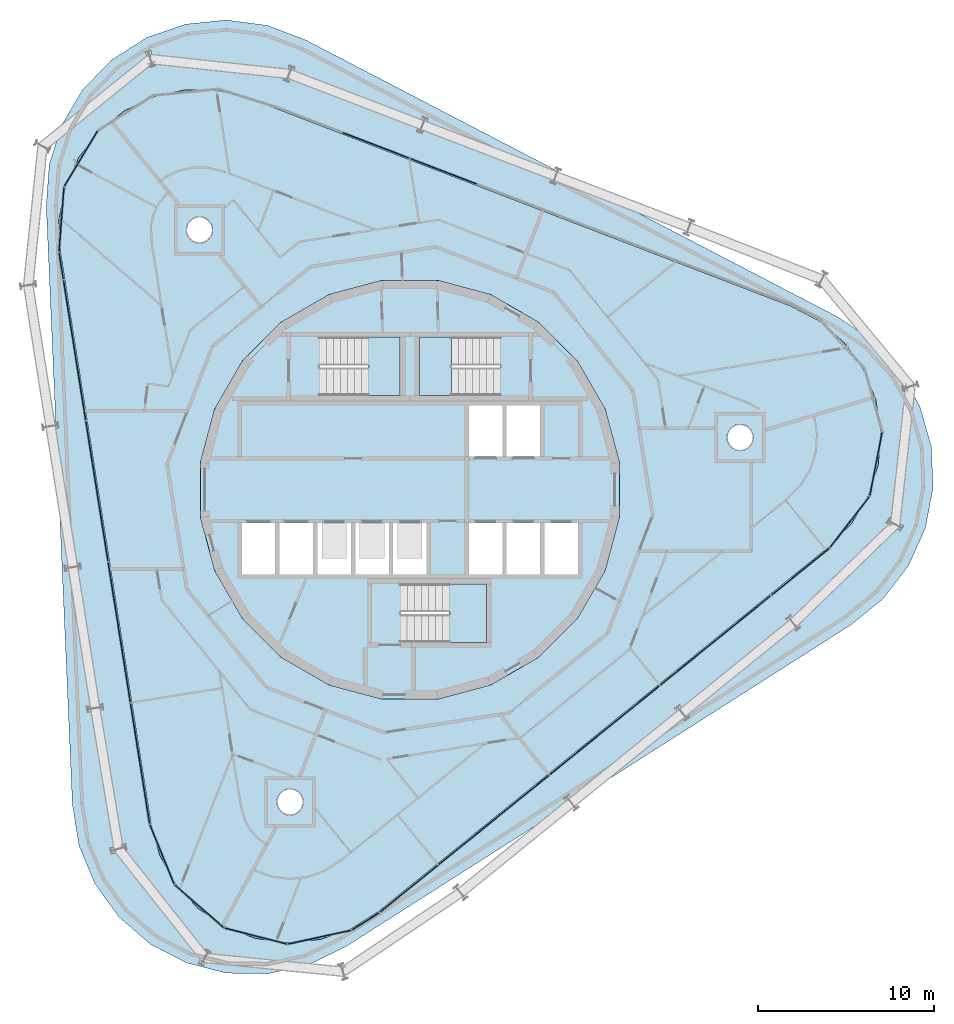
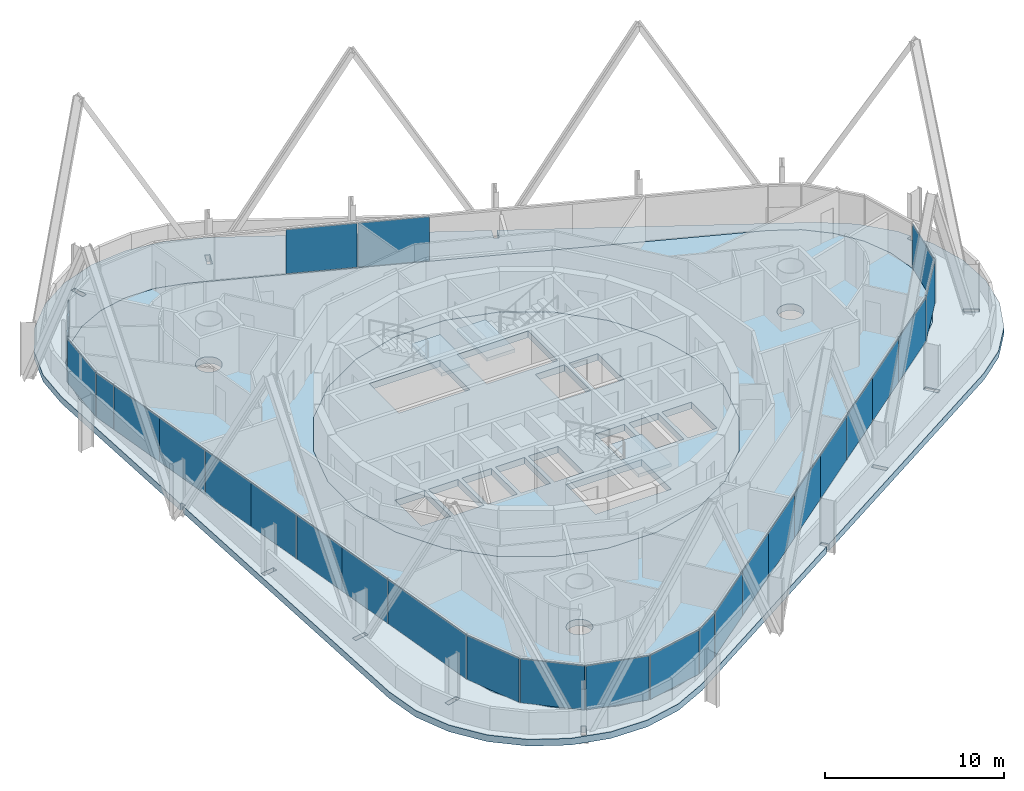
# One storey, part 10 of 19: 27 plates, 6 slabs, 9 elements without a shape of their own.
"""IFC4 building model written with IfcOpenShell, lengths in metres."""

from ifc_helpers import new_model, si_unit, direction, frame, origin, origin_2d, place, context, subcontext, project, spatial, polyline, rectangle, outline, extrude, material, layer, layer_set, type_object, element, aggregate, save


model = new_model("IFC4")

# Units and contexts
model_context = context("Model", 3, precision=1e-05, world=origin(), true_north=direction((0.0, 1.0)))
body_context = subcontext(model_context, "Body", "Model", "MODEL_VIEW")
ifc_project = project(units=[si_unit("LENGTHUNIT", "METRE"), si_unit("AREAUNIT", "SQUARE_METRE"), si_unit("VOLUMEUNIT", "CUBIC_METRE"), si_unit("PLANEANGLEUNIT", "RADIAN"), si_unit("MASSUNIT", "GRAM", prefix="KILO")], contexts=[model_context])

# Site, building, storey
site_placement = place(None, origin())
site = spatial("IfcSite", under=ifc_project, at=site_placement, CompositionType="ELEMENT")
building_placement = place(site_placement, origin())
building = spatial("IfcBuilding", under=site, at=building_placement, Name="Spindle Arch Residences", CompositionType="ELEMENT")
storey_placement = place(building_placement, frame((0.0, 0.0, 263.39990234375)))
storey = spatial("IfcBuildingStorey", under=building, at=storey_placement, Name="L67", CompositionType="ELEMENT", Elevation=263.39990234375)

# Slabs
ifc_material_1 = material(Name="Concrete C40/50", Category="concrete")
ifc_layer_1 = layer(ifc_material_1, 0.449951171875)
ifc_layer_set_1 = layer_set([ifc_layer_1], Name="Compartment floor slab 450")
slab_type_1 = type_object("IfcSlabType", Name="Compartment floor slab 450", PredefinedType="FLOOR", material=ifc_layer_set_1)
slab_1_placement = place(storey_placement, frame((0.0, 0.0, -0.449951171875)))
element("IfcSlab", 1, at=slab_1_placement, inside=storey, type_object=slab_type_1, Name="Floor slab L67", PredefinedType="FLOOR", context=body_context, shape_type="SweptSolid", body=[
    extrude(outline(polyline([(-3.341552734375, -24.9423828125), (-5.097900390625, -25.547119140625), (-6.9462890625, -25.73046875), (-8.787109375, -25.482666015625), (-10.521240234375, -24.81689453125), (-12.054931640625, -23.769287109375), (-13.305908203125, -22.396240234375), (-14.20654296875, -20.771484375), (-14.7080078125, -18.983154296875), (-19.854248046875, 13.509033203125), (-19.929931640625, 15.364990234375), (-19.575439453125, 17.188232421875), (-18.81005859375, 18.880859375), (-17.675048828125, 20.35107421875), (-16.231689453125, 21.52001953125), (-14.557373046875, 22.32470703125), (-12.74267578125, 22.721435546875), (-10.885498046875, 22.68896484375), (-9.0859375, 22.22900390625), (21.626220703125, 10.439697265625), (23.271484375, 9.577392578125), (24.67333984375, 8.358642578125), (25.75634765625, 6.849609375), (26.462158203125, 5.131591796875), (26.752685546875, 3.296875), (26.6123046875, 1.444580078125), (26.048583984375, -0.3251953125), (25.092041015625, -1.917236328125), (23.7939453125, -3.24609375), (11.010986328125, -13.597412109375), (-1.77197265625, -23.94873046875), (-3.341552734375, -24.9423828125)]), holes=[polyline([(7.30517578125, -9.520263671875), (9.520263671875, -7.30517578125), (11.086669921875, -4.59228515625), (11.897216796875, -1.56640625), (11.897216796875, 1.56640625), (11.086669921875, 4.59228515625), (9.520263671875, 7.30517578125), (7.30517578125, 9.520263671875), (4.59228515625, 11.086669921875), (1.56640625, 11.897216796875), (-1.56640625, 11.897216796875), (-4.59228515625, 11.086669921875), (-7.30517578125, 9.520263671875), (-9.520263671875, 7.30517578125), (-11.086669921875, 4.59228515625), (-11.897216796875, 1.56640625), (-11.897216796875, -1.56640625), (-11.086669921875, -4.59228515625), (-9.520263671875, -7.30517578125), (-7.30517578125, -9.520263671875), (-4.59228515625, -11.086669921875), (-1.56640625, -11.897216796875), (1.56640625, -11.897216796875), (4.59228515625, -11.086669921875), (7.30517578125, -9.520263671875)]), polyline([(-6.2763671875, -18.261962890625), (-6.18310546875, -18.1484375), (-6.11376953125, -18.018798828125), (-6.071044921875, -17.8779296875), (-6.056640625, -17.731689453125), (-6.071044921875, -17.58544921875), (-6.11376953125, -17.444580078125), (-6.18310546875, -17.31494140625), (-6.2763671875, -17.201416015625), (-6.389892578125, -17.108154296875), (-6.51953125, -17.038818359375), (-6.660400390625, -16.99609375), (-6.806640625, -16.981689453125), (-6.952880859375, -16.99609375), (-7.093505859375, -17.038818359375), (-7.223388671875, -17.108154296875), (-7.3369140625, -17.201416015625), (-7.43017578125, -17.31494140625), (-7.49951171875, -17.444580078125), (-7.542236328125, -17.58544921875), (-7.556640625, -17.731689453125), (-7.542236328125, -17.8779296875), (-7.49951171875, -18.018798828125), (-7.43017578125, -18.1484375), (-7.3369140625, -18.261962890625), (-7.223388671875, -18.355224609375), (-7.093505859375, -18.424560546875), (-6.952880859375, -18.46728515625), (-6.806640625, -18.481689453125), (-6.660400390625, -18.46728515625), (-6.51953125, -18.424560546875), (-6.389892578125, -18.355224609375), (-6.2763671875, -18.261962890625)]), polyline([(-11.3291015625, 14.34375), (-11.260009765625, 14.473388671875), (-11.21728515625, 14.6142578125), (-11.202880859375, 14.760498046875), (-11.21728515625, 14.90673828125), (-11.260009765625, 15.047607421875), (-11.3291015625, 15.17724609375), (-11.422607421875, 15.290771484375), (-11.5361328125, 15.384033203125), (-11.665771484375, 15.453369140625), (-11.806396484375, 15.49609375), (-11.952880859375, 15.510498046875), (-12.09912109375, 15.49609375), (-12.23974609375, 15.453369140625), (-12.369384765625, 15.384033203125), (-12.483154296875, 15.290771484375), (-12.576416015625, 15.17724609375), (-12.645751953125, 15.047607421875), (-12.6884765625, 14.90673828125), (-12.702880859375, 14.760498046875), (-12.6884765625, 14.6142578125), (-12.645751953125, 14.473388671875), (-12.576416015625, 14.34375), (-12.483154296875, 14.230224609375), (-12.369384765625, 14.136962890625), (-12.23974609375, 14.067626953125), (-12.09912109375, 14.02490234375), (-11.952880859375, 14.010498046875), (-11.806396484375, 14.02490234375), (-11.665771484375, 14.067626953125), (-11.5361328125, 14.136962890625), (-11.422607421875, 14.230224609375), (-11.3291015625, 14.34375)]), polyline([(19.383056640625, 2.554443359375), (19.452392578125, 2.68408203125), (19.4951171875, 2.824951171875), (19.509521484375, 2.97119140625), (19.4951171875, 3.117431640625), (19.452392578125, 3.25830078125), (19.383056640625, 3.387939453125), (19.289794921875, 3.50146484375), (19.176025390625, 3.5947265625), (19.04638671875, 3.6640625), (18.90576171875, 3.706787109375), (18.759521484375, 3.72119140625), (18.613037109375, 3.706787109375), (18.472412109375, 3.6640625), (18.3427734375, 3.5947265625), (18.22900390625, 3.50146484375), (18.1357421875, 3.387939453125), (18.06640625, 3.25830078125), (18.023681640625, 3.117431640625), (18.009521484375, 2.97119140625), (18.023681640625, 2.824951171875), (18.06640625, 2.68408203125), (18.1357421875, 2.554443359375), (18.22900390625, 2.44091796875), (18.3427734375, 2.34765625), (18.472412109375, 2.2783203125), (18.613037109375, 2.235595703125), (18.759521484375, 2.22119140625), (18.90576171875, 2.235595703125), (19.04638671875, 2.2783203125), (19.176025390625, 2.34765625), (19.289794921875, 2.44091796875), (19.383056640625, 2.554443359375)])]), origin(), (0.0, 0.0, 1.0), 0.449951171875),
])
ifc_material_2 = material(Name="Concrete C50/60", Category="concrete")
ifc_layer_2 = layer(ifc_material_2, 0.449951171875)
ifc_layer_set_2 = layer_set([ifc_layer_2], Name="Core floor slab 450")
slab_type_2 = type_object("IfcSlabType", Name="Core floor slab 450", PredefinedType="FLOOR", material=ifc_layer_set_2)
slab_2_placement = place(storey_placement, frame((0.0, 0.0, -0.449951171875)))
element("IfcSlab", 2, at=slab_2_placement, inside=storey, type_object=slab_type_2, Name="Core floor L67", PredefinedType="FLOOR", context=body_context, shape_type="SweptSolid", body=[
    extrude(outline(polyline([(1.56640625, -11.897216796875), (4.59228515625, -11.086669921875), (7.30517578125, -9.520263671875), (9.520263671875, -7.30517578125), (11.086669921875, -4.59228515625), (11.897216796875, -1.56640625), (11.897216796875, 1.56640625), (11.086669921875, 4.59228515625), (9.520263671875, 7.30517578125), (7.30517578125, 9.520263671875), (4.59228515625, 11.086669921875), (1.56640625, 11.897216796875), (-1.56640625, 11.897216796875), (-4.59228515625, 11.086669921875), (-7.30517578125, 9.520263671875), (-9.520263671875, 7.30517578125), (-11.086669921875, 4.59228515625), (-11.897216796875, 1.56640625), (-11.897216796875, -1.56640625), (-11.086669921875, -4.59228515625), (-9.520263671875, -7.30517578125), (-7.30517578125, -9.520263671875), (-4.59228515625, -11.086669921875), (-1.56640625, -11.897216796875), (1.56640625, -11.897216796875)]), holes=[polyline([(3.35009765625, 1.89990234375), (5.25, 1.89990234375), (5.25, 4.800048828125), (3.35009765625, 4.800048828125), (3.35009765625, 1.89990234375)]), polyline([(5.5, 1.89990234375), (7.39990234375, 1.89990234375), (7.39990234375, 4.800048828125), (5.5, 4.800048828125), (5.5, 1.89990234375)]), polyline([(-9.550048828125, -4.800048828125), (-7.64990234375, -4.800048828125), (-7.64990234375, -1.89990234375), (-9.550048828125, -1.89990234375), (-9.550048828125, -4.800048828125)]), polyline([(-7.39990234375, -4.800048828125), (-5.5, -4.800048828125), (-5.5, -1.89990234375), (-7.39990234375, -1.89990234375), (-7.39990234375, -4.800048828125)]), polyline([(-5.25, -4.800048828125), (-3.35009765625, -4.800048828125), (-3.35009765625, -1.89990234375), (-5.25, -1.89990234375), (-5.25, -4.800048828125)]), polyline([(-3.10009765625, -4.800048828125), (-1.199951171875, -4.800048828125), (-1.199951171875, -1.89990234375), (-3.10009765625, -1.89990234375), (-3.10009765625, -4.800048828125)]), polyline([(-0.949951171875, -4.800048828125), (0.949951171875, -4.800048828125), (0.949951171875, -1.89990234375), (-0.949951171875, -1.89990234375), (-0.949951171875, -4.800048828125)]), polyline([(3.35009765625, -4.800048828125), (5.25, -4.800048828125), (5.25, -1.89990234375), (3.35009765625, -1.89990234375), (3.35009765625, -4.800048828125)]), polyline([(5.5, -4.800048828125), (7.39990234375, -4.800048828125), (7.39990234375, -1.89990234375), (5.5, -1.89990234375), (5.5, -4.800048828125)]), polyline([(7.64990234375, -4.800048828125), (9.550048828125, -4.800048828125), (9.550048828125, -1.89990234375), (7.64990234375, -1.89990234375), (7.64990234375, -4.800048828125)]), polyline([(5.1298828125, 8.669921875), (0.550048828125, 8.669921875), (0.550048828125, 5.35009765625), (5.1298828125, 5.35009765625), (5.1298828125, 8.669921875)]), polyline([(-5.1298828125, 5.35009765625), (-0.550048828125, 5.35009765625), (-0.550048828125, 8.669921875), (-5.1298828125, 8.669921875), (-5.1298828125, 5.35009765625)]), polyline([(-0.530029296875, -8.669921875), (4.35009765625, -8.669921875), (4.35009765625, -5.35009765625), (-0.530029296875, -5.35009765625), (-0.530029296875, -8.669921875)])]), origin(), (0.0, 0.0, 1.0), 0.449951171875),
])

# Stair, slab
ifc_material_3 = material(Name="Concrete C50/60", Category="concrete")
stair_type = type_object("IfcStairType", Name="Exit stair 16 risers", PredefinedType="HALF_TURN_STAIR", material=ifc_material_3)
stair_1_placement = place(storey_placement, origin())
stair_1 = element("IfcStair", 3, at=stair_1_placement, inside=storey, type_object=stair_type, Name="L67 Exit stair ST1", PredefinedType="HALF_TURN_STAIR")
ifc_material_4 = material(Name="Concrete C50/60", Category="concrete")
ifc_layer_3 = layer(ifc_material_4, 0.219970703125)
ifc_layer_set_3 = layer_set([ifc_layer_3], Name="Exit stair landing 220")
slab_type_3 = type_object("IfcSlabType", Name="Exit stair landing 220", PredefinedType="LANDING", material=ifc_layer_set_3)
slab_3_placement = place(storey_placement, frame((0.0, 0.0, 1.530029296875)))
slab_3 = element("IfcSlab", 4, at=slab_3_placement, type_object=slab_type_3, Name="ST1 landing 1", PredefinedType="LANDING", context=body_context, shape_type="SweptSolid", body=[
    extrude(outline(polyline([(2.3701171875, 8.669921875), (0.550048828125, 8.669921875), (0.550048828125, 5.35009765625), (2.3701171875, 5.35009765625), (2.3701171875, 8.669921875)])), origin(), (0.0, 0.0, 1.0), 0.219970703125),
])
aggregate(stair_1, [slab_3])

stair_2_placement = place(storey_placement, origin())
stair_2 = element("IfcStair", 5, at=stair_2_placement, inside=storey, type_object=stair_type, Name="L67 Exit stair ST2", PredefinedType="HALF_TURN_STAIR")
slab_4_placement = place(storey_placement, frame((0.0, 0.0, 1.530029296875)))
slab_4 = element("IfcSlab", 6, at=slab_4_placement, type_object=slab_type_3, Name="ST2 landing 1", PredefinedType="LANDING", context=body_context, shape_type="SweptSolid", body=[
    extrude(outline(polyline([(-2.3701171875, 5.35009765625), (-0.550048828125, 5.35009765625), (-0.550048828125, 8.669921875), (-2.3701171875, 8.669921875), (-2.3701171875, 5.35009765625)])), origin(), (0.0, 0.0, 1.0), 0.219970703125),
])
aggregate(stair_2, [slab_4])

stair_3_placement = place(storey_placement, origin())
stair_3 = element("IfcStair", 7, at=stair_3_placement, inside=storey, type_object=stair_type, Name="L67 Exit stair ST3", PredefinedType="HALF_TURN_STAIR")
slab_5_placement = place(storey_placement, frame((0.0, 0.0, 1.530029296875)))
slab_5 = element("IfcSlab", 8, at=slab_5_placement, type_object=slab_type_3, Name="ST3 landing 1", PredefinedType="LANDING", context=body_context, shape_type="SweptSolid", body=[
    extrude(outline(polyline([(2.22998046875, -8.669921875), (4.35009765625, -8.669921875), (4.35009765625, -5.35009765625), (2.22998046875, -5.35009765625), (2.22998046875, -8.669921875)])), origin(), (0.0, 0.0, 1.0), 0.219970703125),
])
aggregate(stair_3, [slab_5])

# Slab
ifc_material_5 = material(Name="Concrete C40/50", Category="concrete")
ifc_layer_4 = layer(ifc_material_5, 0.449951171875)
ifc_layer_set_4 = layer_set([ifc_layer_4], Name="Terrace slab 450")
slab_type_4 = type_object("IfcSlabType", Name="Terrace slab 450", PredefinedType="FLOOR", material=ifc_layer_set_4)
slab_6_placement = place(storey_placement, frame((0.0, 0.0, -0.449951171875)))
element("IfcSlab", 9, at=slab_6_placement, inside=storey, type_object=slab_type_4, Name="Terrace slab L66", PredefinedType="FLOOR", context=body_context, shape_type="SweptSolid", body=[
    extrude(outline(polyline([(-5.76611328125, -26.986572265625), (-8.055419921875, -27.493896484375), (-10.400390625, -27.4599609375), (-12.674072265625, -26.885986328125), (-14.754150390625, -25.80322265625), (-16.528564453125, -24.269775390625), (-17.9013671875, -22.36865234375), (-18.798828125, -20.201904296875), (-19.17236328125, -17.886962890625), (-20.106201171875, 3.504150390625), (-19.9443359375, 3.52978515625), (-19.9912109375, 3.826171875), (-20.119384765625, 3.805908203125), (-20.658447265625, 16.14794921875), (-20.488037109375, 18.48681640625), (-19.78271484375, 20.723388671875), (-18.580810546875, 22.73681640625), (-16.947021484375, 24.419189453125), (-14.968994140625, 25.67919921875), (-12.75390625, 26.448974609375), (-10.421142578125, 26.687255859375), (-8.09619140625, 26.38134765625), (-5.904296875, 25.547119140625), (8.262451171875, 18.172607421875), (7.98291015625, 17.4443359375), (8.26318359375, 17.3369140625), (8.5302734375, 18.032958984375), (24.313720703125, 9.816650390625), (26.25390625, 8.499755859375), (27.83837890625, 6.770751953125), (28.28076171875, 5.97802734375), (27.9609375, 5.88232421875), (28.047119140625, 5.594970703125), (28.430419921875, 5.709716796875), (28.981201171875, 4.722900390625), (29.62109375, 2.466796875), (29.723388671875, 0.1240234375), (29.282470703125, -2.17919921875), (28.322509765625, -4.318603515625), (26.89501953125, -6.17919921875), (25.07666015625, -7.660400390625), (10.710693359375, -16.8125), (9.3125, -17.703125), (9.015625, -17.33642578125), (8.782470703125, -17.525390625), (9.057861328125, -17.865478515625), (-3.6552734375, -25.964599609375), (-5.76611328125, -26.986572265625)]), holes=[polyline([(25.092041015625, -1.917236328125), (26.048583984375, -0.3251953125), (26.6123046875, 1.444580078125), (26.752685546875, 3.296875), (26.462158203125, 5.131591796875), (25.75634765625, 6.849609375), (24.67333984375, 8.358642578125), (23.271484375, 9.577392578125), (21.626220703125, 10.439697265625), (-9.0859375, 22.22900390625), (-10.885498046875, 22.68896484375), (-12.74267578125, 22.721435546875), (-14.557373046875, 22.32470703125), (-16.231689453125, 21.52001953125), (-17.675048828125, 20.35107421875), (-18.81005859375, 18.880859375), (-19.575439453125, 17.188232421875), (-19.929931640625, 15.364990234375), (-19.854248046875, 13.509033203125), (-14.7080078125, -18.983154296875), (-14.20654296875, -20.771484375), (-13.305908203125, -22.396240234375), (-12.054931640625, -23.769287109375), (-10.521240234375, -24.81689453125), (-8.787109375, -25.482666015625), (-6.9462890625, -25.73046875), (-5.097900390625, -25.547119140625), (-3.341552734375, -24.9423828125), (-1.77197265625, -23.94873046875), (11.010986328125, -13.597412109375), (23.7939453125, -3.24609375), (25.092041015625, -1.917236328125)]), polyline([(-11.9990234375, -26.916748046875), (-11.735595703125, -27.060546875), (-11.303955078125, -26.27099609375), (-11.5673828125, -26.126953125), (-11.9990234375, -26.916748046875)]), polyline([(-17.0205078125, -20.378173828125), (-16.94091796875, -20.66748046875), (-16.072998046875, -20.429443359375), (-16.15234375, -20.14013671875), (-17.0205078125, -20.378173828125)]), polyline([(-17.45458984375, -12.189453125), (-18.343505859375, -12.330078125), (-18.296630859375, -12.62646484375), (-17.40771484375, -12.48583984375), (-17.45458984375, -12.189453125)]), polyline([(-18.722900390625, -4.181640625), (-19.61181640625, -4.322509765625), (-19.56494140625, -4.61865234375), (-18.676025390625, -4.47802734375), (-18.722900390625, -4.181640625)]), polyline([(-6.875, 23.14794921875), (-6.552490234375, 23.98828125), (-6.832763671875, 24.095703125), (-7.1552734375, 23.25537109375), (-6.875, 23.14794921875)]), polyline([(-14.468994140625, 24.077880859375), (-14.71728515625, 24.943115234375), (-15.005615234375, 24.8603515625), (-14.75732421875, 23.9951171875), (-14.468994140625, 24.077880859375)]), polyline([(15.6494140625, -13.122314453125), (15.8828125, -12.93359375), (15.31640625, -12.234130859375), (15.0830078125, -12.423095703125), (15.6494140625, -13.122314453125)]), polyline([(21.3837890625, -7.32080078125), (21.9501953125, -8.02001953125), (22.18359375, -7.831298828125), (21.6171875, -7.1318359375), (21.3837890625, -7.32080078125)]), polyline([(27.09912109375, -1.88623046875), (27.8837890625, -2.326904296875), (28.03076171875, -2.0654296875), (27.24609375, -1.62451171875), (27.09912109375, -1.88623046875)]), polyline([(0.694091796875, 20.242431640625), (1.0166015625, 21.082763671875), (0.736328125, 21.190185546875), (0.413818359375, 20.349853515625), (0.694091796875, 20.242431640625)])]), origin(), (0.0, 0.0, 1.0), 0.449951171875),
])

# Curtain wall, plates
ifc_material_6 = material(Name="Aluminium bronze unitised frame with tinted glass", Category="aluminium")
ifc_layer_5 = layer(ifc_material_6, 0.159912109375)
ifc_layer_set_5 = layer_set([ifc_layer_5], Name="CW-D corner wall on the fillet arcs")
curtain_wall_type_1 = type_object("IfcCurtainWallType", Name="CW-D corner wall on the fillet arcs", PredefinedType="NOTDEFINED", material=ifc_layer_set_5)
curtain_wall_1_placement = place(storey_placement, origin())
curtain_wall_1 = element("IfcCurtainWall", 10, at=curtain_wall_1_placement, inside=storey, type_object=curtain_wall_type_1, Name="CW-D L67 run 1", PredefinedType="NOTDEFINED")
ifc_material_7 = material(Name="Tinted double glazing over aluminium faced non-combustible spandrel zone (K0)", Category="aluminium")
ifc_layer_6 = layer(ifc_material_7, 0.06005859375)
ifc_layer_set_6 = layer_set([ifc_layer_6], Name="Unitised glass panel with E 60 spandrel zone")
plate_type = type_object("IfcPlateType", Name="Unitised glass panel with E 60 spandrel zone", PredefinedType="CURTAIN_PANEL", material=ifc_layer_set_6)
plate_1_placement = place(storey_placement, frame((22.178466796875, -4.6572265625, -0.44970703125), z_axis=(0.0, 0.0, 1.0), x_axis=(0.777145961457, 0.62932039105, 0.0)))
plate_1 = element("IfcPlate", 11, at=plate_1_placement, type_object=plate_type, Name="CW-D unit 00", PredefinedType="CURTAIN_PANEL", context=body_context, shape_type="SweptSolid", body=[
    extrude(rectangle(XDim=4.227294921875, YDim=0.06005859375, at=origin_2d()), origin(), (0.0, 0.0, 1.0), 3.449951171875),
])
plate_2_placement = place(storey_placement, frame((24.98291015625, -1.833251953125, -0.44970703125), z_axis=(0.0, 0.0, 1.0), x_axis=(0.611066622764, 0.791579170105, 0.0)))
plate_2 = element("IfcPlate", 12, at=plate_2_placement, type_object=plate_type, Name="CW-D unit 01", PredefinedType="CURTAIN_PANEL", context=body_context, shape_type="SweptSolid", body=[
    extrude(rectangle(XDim=3.666748046875, YDim=0.06005859375, at=origin_2d()), origin(), (0.0, 0.0, 1.0), 3.449951171875),
])
plate_3_placement = place(storey_placement, frame((26.47705078125, 1.470947265625, -0.44970703125), z_axis=(0.0, 0.0, 1.0), x_axis=(0.190808994811, 0.981627183558, 0.0)))
plate_3 = element("IfcPlate", 13, at=plate_3_placement, type_object=plate_type, Name="CW-D unit 02", PredefinedType="CURTAIN_PANEL", context=body_context, shape_type="SweptSolid", body=[
    extrude(rectangle(XDim=3.666748046875, YDim=0.06005859375, at=origin_2d()), origin(), (0.0, 0.0, 1.0), 3.449951171875),
])
aggregate(curtain_wall_1, [plate_1, plate_2, plate_3])

ifc_material_8 = material(Name="Aluminium bronze unitised frame with tinted glass", Category="aluminium")
ifc_layer_7 = layer(ifc_material_8, 0.159912109375)
ifc_layer_set_7 = layer_set([ifc_layer_7], Name="CW-C typical residential unitised wall")
curtain_wall_type_2 = type_object("IfcCurtainWallType", Name="CW-C typical residential unitised wall", PredefinedType="NOTDEFINED", material=ifc_layer_set_7)
curtain_wall_2_placement = place(storey_placement, origin())
curtain_wall_2 = element("IfcCurtainWall", 14, at=curtain_wall_2_placement, inside=storey, type_object=curtain_wall_type_2, Name="CW-C L67 run 2", PredefinedType="NOTDEFINED")
plate_4_placement = place(storey_placement, frame((1.897705078125, 18.0986328125, -0.44970703125), z_axis=(0.0, 0.0, 1.0), x_axis=(-0.933580426497, 0.358367949545, 0.0)))
plate_4 = element("IfcPlate", 15, at=plate_4_placement, type_object=plate_type, Name="CW-C unit 06B", PredefinedType="CURTAIN_PANEL", context=body_context, shape_type="SweptSolid", body=[
    extrude(rectangle(XDim=4.023681640625, YDim=0.06005859375, at=origin_2d()), origin(), (0.0, 0.0, 1.0), 3.449951171875),
])
plate_5_placement = place(storey_placement, frame((-1.9150390625, 19.562255859375, -0.44970703125), z_axis=(0.0, 0.0, 1.0), x_axis=(-0.933580426497, 0.358367949545, 0.0)))
plate_5 = element("IfcPlate", 16, at=plate_5_placement, type_object=plate_type, Name="CW-C unit 07A", PredefinedType="CURTAIN_PANEL", context=body_context, shape_type="SweptSolid", body=[
    extrude(rectangle(XDim=4.023681640625, YDim=0.06005859375, at=origin_2d()), origin(), (0.0, 0.0, 1.0), 3.449951171875),
])
aggregate(curtain_wall_2, [plate_4, plate_5])

curtain_wall_3_placement = place(storey_placement, origin())
curtain_wall_3 = element("IfcCurtainWall", 17, at=curtain_wall_3_placement, inside=storey, type_object=curtain_wall_type_1, Name="CW-D L67 run 3", PredefinedType="NOTDEFINED")
plate_6_placement = place(storey_placement, frame((-18.692138671875, 18.809814453125, -0.44970703125), z_axis=(0.0, 0.0, 1.0), x_axis=(-0.515038072875, -0.857167301925, 0.0)))
plate_6 = element("IfcPlate", 18, at=plate_6_placement, type_object=plate_type, Name="CW-D unit 03", PredefinedType="CURTAIN_PANEL", context=body_context, shape_type="SweptSolid", body=[
    extrude(rectangle(XDim=3.666748046875, YDim=0.06005859375, at=origin_2d()), origin(), (0.0, 0.0, 1.0), 3.449951171875),
])
plate_7_placement = place(storey_placement, frame((-19.79248046875, 15.3544921875, -0.44970703125), z_axis=(0.0, 0.0, 1.0), x_axis=(-0.07555884997, -0.997141344139, 0.0)))
plate_7 = element("IfcPlate", 19, at=plate_7_placement, type_object=plate_type, Name="CW-D unit 04", PredefinedType="CURTAIN_PANEL", context=body_context, shape_type="SweptSolid", body=[
    extrude(rectangle(XDim=3.666748046875, YDim=0.06005859375, at=origin_2d()), origin(), (0.0, 0.0, 1.0), 3.449951171875),
])
plate_8_placement = place(storey_placement, frame((-19.809326171875, 12.7138671875, -0.44970703125), z_axis=(0.0, 0.0, 1.0), x_axis=(0.15643446504, -0.987688340595, 0.0)))
plate_8 = element("IfcPlate", 20, at=plate_8_placement, type_object=plate_type, Name="CW-D unit 05", PredefinedType="CURTAIN_PANEL", context=body_context, shape_type="SweptSolid", body=[
    extrude(rectangle(XDim=1.524658203125, YDim=0.06005859375, at=origin_2d()), origin(), (0.0, 0.0, 1.0), 3.449951171875),
])
aggregate(curtain_wall_3, [plate_6, plate_7, plate_8])

curtain_wall_4_placement = place(storey_placement, origin())
curtain_wall_4 = element("IfcCurtainWall", 21, at=curtain_wall_4_placement, inside=storey, type_object=curtain_wall_type_2, Name="CW-C L67 run 4", PredefinedType="NOTDEFINED")
plate_9_placement = place(storey_placement, frame((-19.365966796875, 9.91455078125, -0.44970703125), z_axis=(0.0, 0.0, 1.0), x_axis=(0.15643446504, -0.987688340595, 0.0)))
plate_9 = element("IfcPlate", 22, at=plate_9_placement, type_object=plate_type, Name="CW-C unit 11A", PredefinedType="CURTAIN_PANEL", context=body_context, shape_type="SweptSolid", body=[
    extrude(rectangle(XDim=4.023681640625, YDim=0.06005859375, at=origin_2d()), origin(), (0.0, 0.0, 1.0), 3.449951171875),
])
plate_10_placement = place(storey_placement, frame((-18.736572265625, 5.9404296875, -0.44970703125), z_axis=(0.0, 0.0, 1.0), x_axis=(0.15643446504, -0.987688340595, 0.0)))
plate_10 = element("IfcPlate", 23, at=plate_10_placement, type_object=plate_type, Name="CW-C unit 11B", PredefinedType="CURTAIN_PANEL", context=body_context, shape_type="SweptSolid", body=[
    extrude(rectangle(XDim=4.023681640625, YDim=0.06005859375, at=origin_2d()), origin(), (0.0, 0.0, 1.0), 3.449951171875),
])
plate_11_placement = place(storey_placement, frame((-18.09765625, 1.90673828125, -0.44970703125), z_axis=(0.0, 0.0, 1.0), x_axis=(0.15643446504, -0.987688340595, 0.0)))
plate_11 = element("IfcPlate", 24, at=plate_11_placement, type_object=plate_type, Name="CW-C unit 12A", PredefinedType="CURTAIN_PANEL", context=body_context, shape_type="SweptSolid", body=[
    extrude(rectangle(XDim=4.023681640625, YDim=0.06005859375, at=origin_2d()), origin(), (0.0, 0.0, 1.0), 3.449951171875),
])
plate_12_placement = place(storey_placement, frame((-17.46826171875, -2.0673828125, -0.44970703125), z_axis=(0.0, 0.0, 1.0), x_axis=(0.15643446504, -0.987688340595, 0.0)))
plate_12 = element("IfcPlate", 25, at=plate_12_placement, type_object=plate_type, Name="CW-C unit 12B", PredefinedType="CURTAIN_PANEL", context=body_context, shape_type="SweptSolid", body=[
    extrude(rectangle(XDim=4.023681640625, YDim=0.06005859375, at=origin_2d()), origin(), (0.0, 0.0, 1.0), 3.449951171875),
])
plate_13_placement = place(storey_placement, frame((-16.829345703125, -6.10107421875, -0.44970703125), z_axis=(0.0, 0.0, 1.0), x_axis=(0.15643446504, -0.987688340595, 0.0)))
plate_13 = element("IfcPlate", 26, at=plate_13_placement, type_object=plate_type, Name="CW-C unit 13A", PredefinedType="CURTAIN_PANEL", context=body_context, shape_type="SweptSolid", body=[
    extrude(rectangle(XDim=4.023681640625, YDim=0.06005859375, at=origin_2d()), origin(), (0.0, 0.0, 1.0), 3.449951171875),
])
plate_14_placement = place(storey_placement, frame((-16.199951171875, -10.0751953125, -0.44970703125), z_axis=(0.0, 0.0, 1.0), x_axis=(0.15643446504, -0.987688340595, 0.0)))
plate_14 = element("IfcPlate", 27, at=plate_14_placement, type_object=plate_type, Name="CW-C unit 13B", PredefinedType="CURTAIN_PANEL", context=body_context, shape_type="SweptSolid", body=[
    extrude(rectangle(XDim=4.023681640625, YDim=0.06005859375, at=origin_2d()), origin(), (0.0, 0.0, 1.0), 3.449951171875),
])
aggregate(curtain_wall_4, [plate_9, plate_10, plate_11, plate_12, plate_13, plate_14])

curtain_wall_5_placement = place(storey_placement, origin())
curtain_wall_5 = element("IfcCurtainWall", 28, at=curtain_wall_5_placement, inside=storey, type_object=curtain_wall_type_1, Name="CW-D L67 run 5", PredefinedType="NOTDEFINED")
plate_15_placement = place(storey_placement, frame((-15.333740234375, -15.5439453125, -0.44970703125), z_axis=(0.0, 0.0, 1.0), x_axis=(0.15643446504, -0.987688340595, 0.0)))
plate_15 = element("IfcPlate", 29, at=plate_15_placement, type_object=plate_type, Name="CW-D unit 00", PredefinedType="CURTAIN_PANEL", context=body_context, shape_type="SweptSolid", body=[
    extrude(rectangle(XDim=6.9296875, YDim=0.06005859375, at=origin_2d()), origin(), (0.0, 0.0, 1.0), 3.449951171875),
])
plate_16_placement = place(storey_placement, frame((-14.0791015625, -20.71923828125, -0.44970703125), z_axis=(0.0, 0.0, 1.0), x_axis=(0.379994360085, -0.92498880334, 0.0)))
plate_16 = element("IfcPlate", 30, at=plate_16_placement, type_object=plate_type, Name="CW-D unit 01", PredefinedType="CURTAIN_PANEL", context=body_context, shape_type="SweptSolid", body=[
    extrude(rectangle(XDim=3.666748046875, YDim=0.06005859375, at=origin_2d()), origin(), (0.0, 0.0, 1.0), 3.449951171875),
])
plate_17_placement = place(storey_placement, frame((-11.964599609375, -23.665283203125, -0.44970703125), z_axis=(0.0, 0.0, 1.0), x_axis=(0.754709583074, -0.656059025711, 0.0)))
plate_17 = element("IfcPlate", 31, at=plate_17_placement, type_object=plate_type, Name="CW-D unit 02", PredefinedType="CURTAIN_PANEL", context=body_context, shape_type="SweptSolid", body=[
    extrude(rectangle(XDim=3.666748046875, YDim=0.06005859375, at=origin_2d()), origin(), (0.0, 0.0, 1.0), 3.449951171875),
])
plate_18_placement = place(storey_placement, frame((-8.7529296875, -25.34912109375, -0.44970703125), z_axis=(0.0, 0.0, 1.0), x_axis=(0.968871869392, -0.247562720743, 0.0)))
plate_18 = element("IfcPlate", 32, at=plate_18_placement, type_object=plate_type, Name="CW-D unit 03", PredefinedType="CURTAIN_PANEL", context=body_context, shape_type="SweptSolid", body=[
    extrude(rectangle(XDim=3.666748046875, YDim=0.06005859375, at=origin_2d()), origin(), (0.0, 0.0, 1.0), 3.449951171875),
])
plate_19_placement = place(storey_placement, frame((-5.127197265625, -25.412353515625, -0.44970703125), z_axis=(0.0, 0.0, 1.0), x_axis=(0.976921473489, 0.213598770213, 0.0)))
plate_19 = element("IfcPlate", 33, at=plate_19_placement, type_object=plate_type, Name="CW-D unit 04", PredefinedType="CURTAIN_PANEL", context=body_context, shape_type="SweptSolid", body=[
    extrude(rectangle(XDim=3.666748046875, YDim=0.06005859375, at=origin_2d()), origin(), (0.0, 0.0, 1.0), 3.449951171875),
])
plate_20_placement = place(storey_placement, frame((-2.51416015625, -24.5126953125, -0.44970703125), z_axis=(0.0, 0.0, 1.0), x_axis=(0.844950816658, 0.53484401224, 0.0)))
plate_20 = element("IfcPlate", 34, at=plate_20_placement, type_object=plate_type, Name="CW-D unit 05", PredefinedType="CURTAIN_PANEL", context=body_context, shape_type="SweptSolid", body=[
    extrude(rectangle(XDim=1.816162109375, YDim=0.06005859375, at=origin_2d()), origin(), (0.0, 0.0, 1.0), 3.449951171875),
])
plate_21_placement = place(storey_placement, frame((-0.0556640625, -22.662109375, -0.44970703125), z_axis=(0.0, 0.0, 1.0), x_axis=(0.777145961457, 0.62932039105, 0.0)))
plate_21 = element("IfcPlate", 35, at=plate_21_placement, type_object=plate_type, Name="CW-D unit 06", PredefinedType="CURTAIN_PANEL", context=body_context, shape_type="SweptSolid", body=[
    extrude(rectangle(XDim=4.227294921875, YDim=0.06005859375, at=origin_2d()), origin(), (0.0, 0.0, 1.0), 3.449951171875),
])
aggregate(curtain_wall_5, [plate_15, plate_16, plate_17, plate_18, plate_19, plate_20, plate_21])

curtain_wall_6_placement = place(storey_placement, origin())
curtain_wall_6 = element("IfcCurtainWall", 36, at=curtain_wall_6_placement, inside=storey, type_object=curtain_wall_type_2, Name="CW-C L67 run 6", PredefinedType="NOTDEFINED")
plate_22_placement = place(storey_placement, frame((3.197021484375, -20.028076171875, -0.44970703125), z_axis=(0.0, 0.0, 1.0), x_axis=(0.777145961457, 0.62932039105, 0.0)))
plate_22 = element("IfcPlate", 37, at=plate_22_placement, type_object=plate_type, Name="CW-C unit 18A", PredefinedType="CURTAIN_PANEL", context=body_context, shape_type="SweptSolid", body=[
    extrude(rectangle(XDim=4.023681640625, YDim=0.06005859375, at=origin_2d()), origin(), (0.0, 0.0, 1.0), 3.449951171875),
])
plate_23_placement = place(storey_placement, frame((6.323974609375, -17.49560546875, -0.44970703125), z_axis=(0.0, 0.0, 1.0), x_axis=(0.777145961457, 0.62932039105, 0.0)))
plate_23 = element("IfcPlate", 38, at=plate_23_placement, type_object=plate_type, Name="CW-C unit 18B", PredefinedType="CURTAIN_PANEL", context=body_context, shape_type="SweptSolid", body=[
    extrude(rectangle(XDim=4.023681640625, YDim=0.06005859375, at=origin_2d()), origin(), (0.0, 0.0, 1.0), 3.449951171875),
])
plate_24_placement = place(storey_placement, frame((9.497802734375, -14.92578125, -0.44970703125), z_axis=(0.0, 0.0, 1.0), x_axis=(0.777145961457, 0.62932039105, 0.0)))
plate_24 = element("IfcPlate", 39, at=plate_24_placement, type_object=plate_type, Name="CW-C unit 19A", PredefinedType="CURTAIN_PANEL", context=body_context, shape_type="SweptSolid", body=[
    extrude(rectangle(XDim=4.023681640625, YDim=0.06005859375, at=origin_2d()), origin(), (0.0, 0.0, 1.0), 3.449951171875),
])
plate_25_placement = place(storey_placement, frame((12.624755859375, -12.3935546875, -0.44970703125), z_axis=(0.0, 0.0, 1.0), x_axis=(0.777145961457, 0.62932039105, 0.0)))
plate_25 = element("IfcPlate", 40, at=plate_25_placement, type_object=plate_type, Name="CW-C unit 19B", PredefinedType="CURTAIN_PANEL", context=body_context, shape_type="SweptSolid", body=[
    extrude(rectangle(XDim=4.023681640625, YDim=0.06005859375, at=origin_2d()), origin(), (0.0, 0.0, 1.0), 3.449951171875),
])
plate_26_placement = place(storey_placement, frame((15.798583984375, -9.823486328125, -0.44970703125), z_axis=(0.0, 0.0, 1.0), x_axis=(0.777145961457, 0.62932039105, 0.0)))
plate_26 = element("IfcPlate", 41, at=plate_26_placement, type_object=plate_type, Name="CW-C unit 00A", PredefinedType="CURTAIN_PANEL", context=body_context, shape_type="SweptSolid", body=[
    extrude(rectangle(XDim=4.023681640625, YDim=0.06005859375, at=origin_2d()), origin(), (0.0, 0.0, 1.0), 3.449951171875),
])
plate_27_placement = place(storey_placement, frame((18.925537109375, -7.291259765625, -0.44970703125), z_axis=(0.0, 0.0, 1.0), x_axis=(0.777145961457, 0.62932039105, 0.0)))
plate_27 = element("IfcPlate", 42, at=plate_27_placement, type_object=plate_type, Name="CW-C unit 00B", PredefinedType="CURTAIN_PANEL", context=body_context, shape_type="SweptSolid", body=[
    extrude(rectangle(XDim=4.023681640625, YDim=0.06005859375, at=origin_2d()), origin(), (0.0, 0.0, 1.0), 3.449951171875),
])
aggregate(curtain_wall_6, [plate_22, plate_23, plate_24, plate_25, plate_26, plate_27])

save(model, "model.ifc")
